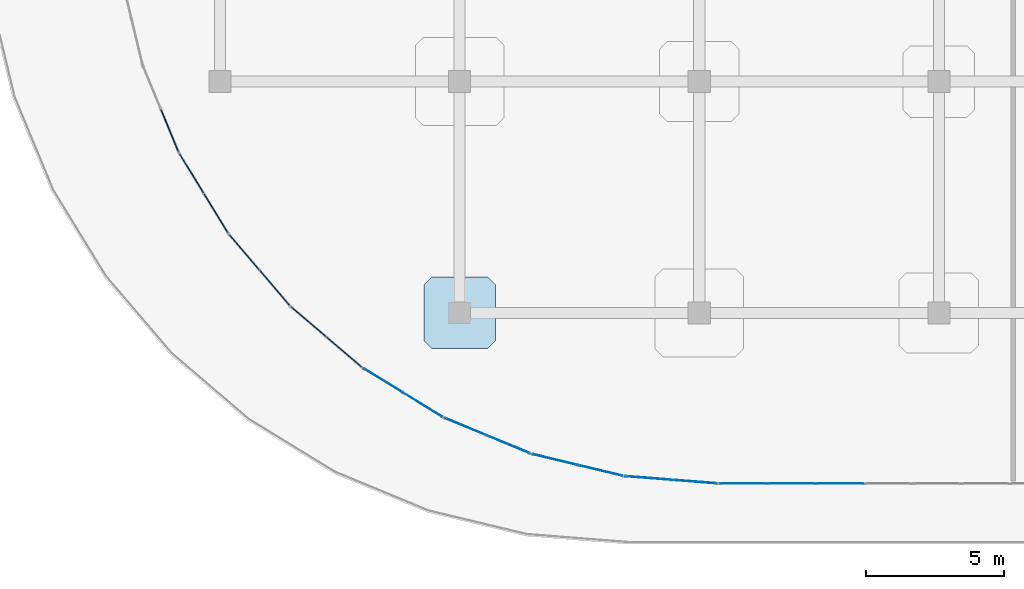
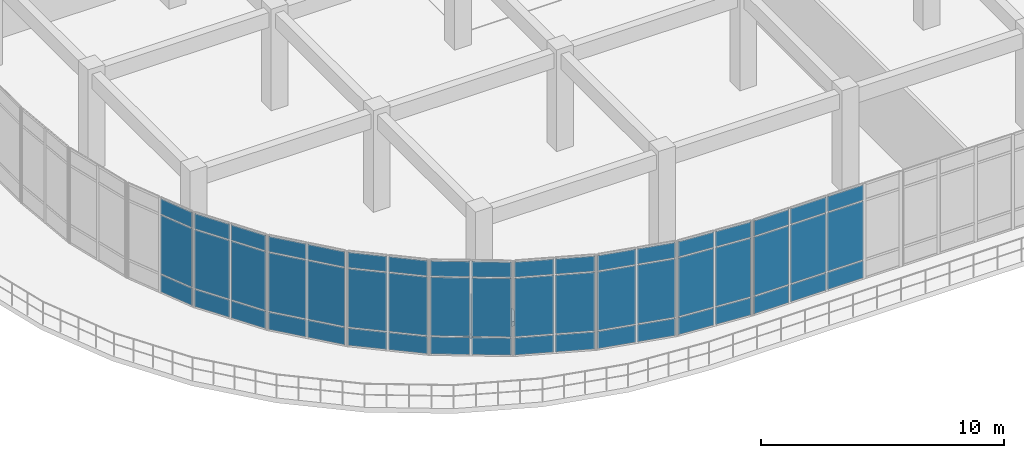
# One storey, part 90 of 124: 54 plates, 1 slab, 9 elements without a shape of their own.
"""IFC4 building model written with IfcOpenShell, lengths in metres."""

from ifc_helpers import new_model, si_unit, derived_unit, direction, frame, origin, origin_2d, place, context, subcontext, project, spatial, polyline, rectangle, outline, extrude, material, layer, layer_set, type_object, element, aggregate, save


model = new_model("IFC4")

# Units and contexts
model_context = context("Model", 3, precision=1e-05, world=origin(), true_north=direction((0.0, 1.0)))
body_context = subcontext(model_context, "Body", "Model", "MODEL_VIEW")
ifc_project = project(units=[si_unit("LENGTHUNIT", "METRE"), si_unit("AREAUNIT", "SQUARE_METRE"), si_unit("VOLUMEUNIT", "CUBIC_METRE"), si_unit("PLANEANGLEUNIT", "RADIAN"), si_unit("MASSUNIT", "GRAM", prefix="KILO"), derived_unit("THERMALTRANSMITTANCEUNIT", [(si_unit("MASSUNIT", "GRAM", prefix="KILO"), 1), (si_unit("TIMEUNIT", "SECOND"), -3), (si_unit("THERMODYNAMICTEMPERATUREUNIT", "KELVIN"), -1)])], contexts=[model_context])

# Site, building, storey
site_placement = place(None, origin())
site = spatial("IfcSite", under=ifc_project, at=site_placement, CompositionType="ELEMENT")
building_placement = place(site_placement, origin())
building = spatial("IfcBuilding", under=site, at=building_placement, Name="Qinzheling Arcade Emporium", CompositionType="ELEMENT")
storey_placement = place(building_placement, frame((0.0, 0.0, 16.5)))
storey = spatial("IfcBuildingStorey", under=building, at=storey_placement, Name="L04", CompositionType="ELEMENT", Elevation=16.5)

# Slab
ifc_material_1 = material(Name="Concrete C40", Category="concrete")
ifc_layer_1 = layer(ifc_material_1, 0.235107421875, Name="Concrete C40", Category="concrete")
ifc_layer_set_1 = layer_set([ifc_layer_1], Name="Concrete C40")
slab_type = type_object("IfcSlabType", Name="Column Head Drop Panel 2600x2600x235 C40", PredefinedType="USERDEFINED", material=ifc_layer_set_1)
slab_placement = place(storey_placement, frame((0.0, 0.0, -0.514892578125)))
element("IfcSlab", 1, at=slab_placement, inside=storey, type_object=slab_type, Name="Column Drop Panel DP-L04-3-B", ObjectType="DROP_PANEL", PredefinedType="USERDEFINED", context=body_context, shape_type="SweptSolid", body=[
    extrude(outline(polyline([(16.3798828125, 7.10009765625), (18.419921875, 7.10009765625), (18.699951171875, 7.3798828125), (18.699951171875, 9.419921875), (18.419921875, 9.699951171875), (16.3798828125, 9.699951171875), (16.10009765625, 9.419921875), (16.10009765625, 7.3798828125), (16.3798828125, 7.10009765625)])), origin(), (0.0, 0.0, 1.0), 0.23486328125),
])

# Curtain wall, plates
ifc_material_2 = material(Name="Anodised aluminium and solar-control double glazing", Category="aluminium")
ifc_layer_2 = layer(ifc_material_2, 0.159912109375, Name="Anodised aluminium and solar-control double glazing", Category="aluminium")
ifc_layer_set_2 = layer_set([ifc_layer_2], Name="Anodised aluminium and solar-control double glazing")
curtain_wall_type_1 = type_object("IfcCurtainWallType", Name="Arcade Portal Glazed Curtain Wall", PredefinedType="NOTDEFINED", material=ifc_layer_set_2)
curtain_wall_1_placement = place(storey_placement, origin())
curtain_wall_1 = element("IfcCurtainWall", 2, at=curtain_wall_1_placement, inside=storey, type_object=curtain_wall_type_1, Name="Curtain Wall CW-L04-224", PredefinedType="NOTDEFINED")
ifc_material_3 = material(Name="Laminated solar-control double glazing", Category="glass")
ifc_layer_3 = layer(ifc_material_3, 0.02490234375, Name="Laminated solar-control double glazing", Category="glass")
ifc_layer_set_3 = layer_set([ifc_layer_3], Name="Laminated solar-control double glazing")
plate_type_1 = type_object("IfcPlateType", Name="Low-E Double Glazed Curtain Panel 25mm", PredefinedType="CURTAIN_PANEL", material=ifc_layer_set_3)
plate_1_placement = place(storey_placement, frame((31.211181640625, 2.199951171875, 0.06005859375), z_axis=(0.0, 0.0, 1.0), x_axis=(-1.0, 0.0, 0.0)))
plate_1 = element("IfcPlate", 3, at=plate_1_placement, type_object=plate_type_1, Name="CW05 panel 2.1", PredefinedType="CURTAIN_PANEL", context=body_context, shape_type="SweptSolid", body=[
    extrude(rectangle(XDim=1.70458984375, YDim=0.02490234375, at=origin_2d()), origin(), (0.0, 0.0, 1.0), 0.860107421875),
])
plate_2_placement = place(storey_placement, frame((31.211181640625, 2.199951171875, 0.97998046875), z_axis=(0.0, 0.0, 1.0), x_axis=(-1.0, 0.0, 0.0)))
plate_2 = element("IfcPlate", 4, at=plate_2_placement, type_object=plate_type_1, Name="CW05 panel 2.2", PredefinedType="CURTAIN_PANEL", context=body_context, shape_type="SweptSolid", body=[
    extrude(rectangle(XDim=1.70458984375, YDim=0.02490234375, at=origin_2d()), origin(), (0.0, 0.0, 1.0), 2.929931640625),
])
plate_3_placement = place(storey_placement, frame((31.211181640625, 2.199951171875, 3.97021484375), z_axis=(0.0, 0.0, 1.0), x_axis=(-1.0, 0.0, 0.0)))
plate_3 = element("IfcPlate", 5, at=plate_3_placement, type_object=plate_type_1, Name="CW05 panel 2.3", PredefinedType="CURTAIN_PANEL", context=body_context, shape_type="SweptSolid", body=[
    extrude(rectangle(XDim=1.70458984375, YDim=0.02490234375, at=origin_2d()), origin(), (0.0, 0.0, 1.0), 0.760009765625),
])
plate_4_placement = place(storey_placement, frame((29.44677734375, 2.199951171875, 0.06005859375), z_axis=(0.0, 0.0, 1.0), x_axis=(-1.0, 0.0, 0.0)))
plate_4 = element("IfcPlate", 6, at=plate_4_placement, type_object=plate_type_1, Name="CW05 panel 3.1", PredefinedType="CURTAIN_PANEL", context=body_context, shape_type="SweptSolid", body=[
    extrude(rectangle(XDim=1.70458984375, YDim=0.02490234375, at=origin_2d()), origin(), (0.0, 0.0, 1.0), 0.860107421875),
])
plate_5_placement = place(storey_placement, frame((29.44677734375, 2.199951171875, 0.97998046875), z_axis=(0.0, 0.0, 1.0), x_axis=(-1.0, 0.0, 0.0)))
plate_5 = element("IfcPlate", 7, at=plate_5_placement, type_object=plate_type_1, Name="CW05 panel 3.2", PredefinedType="CURTAIN_PANEL", context=body_context, shape_type="SweptSolid", body=[
    extrude(rectangle(XDim=1.70458984375, YDim=0.02490234375, at=origin_2d()), origin(), (0.0, 0.0, 1.0), 2.929931640625),
])
plate_6_placement = place(storey_placement, frame((29.44677734375, 2.199951171875, 3.97021484375), z_axis=(0.0, 0.0, 1.0), x_axis=(-1.0, 0.0, 0.0)))
plate_6 = element("IfcPlate", 8, at=plate_6_placement, type_object=plate_type_1, Name="CW05 panel 3.3", PredefinedType="CURTAIN_PANEL", context=body_context, shape_type="SweptSolid", body=[
    extrude(rectangle(XDim=1.70458984375, YDim=0.02490234375, at=origin_2d()), origin(), (0.0, 0.0, 1.0), 0.760009765625),
])
plate_7_placement = place(storey_placement, frame((27.697265625, 2.199951171875, 0.06005859375), z_axis=(0.0, 0.0, 1.0), x_axis=(-1.0, 0.0, 0.0)))
plate_7 = element("IfcPlate", 9, at=plate_7_placement, type_object=plate_type_1, Name="CW05 panel 4.1", PredefinedType="CURTAIN_PANEL", context=body_context, shape_type="SweptSolid", body=[
    extrude(rectangle(XDim=1.674560546875, YDim=0.02490234375, at=origin_2d()), origin(), (0.0, 0.0, 1.0), 0.860107421875),
])
plate_8_placement = place(storey_placement, frame((27.697265625, 2.199951171875, 0.97998046875), z_axis=(0.0, 0.0, 1.0), x_axis=(-1.0, 0.0, 0.0)))
plate_8 = element("IfcPlate", 10, at=plate_8_placement, type_object=plate_type_1, Name="CW05 panel 4.2", PredefinedType="CURTAIN_PANEL", context=body_context, shape_type="SweptSolid", body=[
    extrude(rectangle(XDim=1.674560546875, YDim=0.02490234375, at=origin_2d()), origin(), (0.0, 0.0, 1.0), 2.929931640625),
])
plate_9_placement = place(storey_placement, frame((27.697265625, 2.199951171875, 3.97021484375), z_axis=(0.0, 0.0, 1.0), x_axis=(-1.0, 0.0, 0.0)))
plate_9 = element("IfcPlate", 11, at=plate_9_placement, type_object=plate_type_1, Name="CW05 panel 4.3", PredefinedType="CURTAIN_PANEL", context=body_context, shape_type="SweptSolid", body=[
    extrude(rectangle(XDim=1.674560546875, YDim=0.02490234375, at=origin_2d()), origin(), (0.0, 0.0, 1.0), 0.760009765625),
])
aggregate(curtain_wall_1, [plate_1, plate_2, plate_3, plate_4, plate_5, plate_6, plate_7, plate_8, plate_9])

ifc_layer_4 = layer(ifc_material_2, 0.159912109375, Name="Anodised aluminium and solar-control double glazing", Category="aluminium")
ifc_layer_set_4 = layer_set([ifc_layer_4], Name="Anodised aluminium and solar-control double glazing")
curtain_wall_type_2 = type_object("IfcCurtainWallType", Name="Curved Ribbon Sales Curtain Wall", PredefinedType="NOTDEFINED", material=ifc_layer_set_4)
curtain_wall_2_placement = place(storey_placement, origin())
curtain_wall_2 = element("IfcCurtainWall", 12, at=curtain_wall_2_placement, inside=storey, type_object=curtain_wall_type_2, Name="Curtain Wall CW-L04-225", PredefinedType="NOTDEFINED")
ifc_layer_5 = layer(ifc_material_3, 0.02587890625, Name="Laminated solar-control double glazing", Category="glass")
ifc_layer_set_5 = layer_set([ifc_layer_5], Name="Laminated solar-control double glazing")
plate_type_2 = type_object("IfcPlateType", Name="Low-E Double Glazed Curtain Panel 26mm", PredefinedType="CURTAIN_PANEL", material=ifc_layer_set_5)
plate_10_placement = place(storey_placement, frame((25.924560546875, 2.26904296875, 0.06005859375), z_axis=(0.0, 0.0, 1.0), x_axis=(-0.996914870157, 0.078490392152, 0.0)))
plate_10 = element("IfcPlate", 13, at=plate_10_placement, type_object=plate_type_2, Name="CW02 panel 1.1", PredefinedType="CURTAIN_PANEL", context=body_context, shape_type="SweptSolid", body=[
    extrude(rectangle(XDim=1.63623046875, YDim=0.02587890625, at=origin_2d()), origin(), (0.0, 0.0, 1.0), 0.860107421875),
])
plate_11_placement = place(storey_placement, frame((25.924560546875, 2.26904296875, 0.97998046875), z_axis=(0.0, 0.0, 1.0), x_axis=(-0.996914870157, 0.078490392152, 0.0)))
plate_11 = element("IfcPlate", 14, at=plate_11_placement, type_object=plate_type_2, Name="CW02 panel 1.2", PredefinedType="CURTAIN_PANEL", context=body_context, shape_type="SweptSolid", body=[
    extrude(rectangle(XDim=1.63623046875, YDim=0.02587890625, at=origin_2d()), origin(), (0.0, 0.0, 1.0), 2.929931640625),
])
plate_12_placement = place(storey_placement, frame((25.924560546875, 2.26904296875, 3.97021484375), z_axis=(0.0, 0.0, 1.0), x_axis=(-0.996914870157, 0.078490392152, 0.0)))
plate_12 = element("IfcPlate", 15, at=plate_12_placement, type_object=plate_type_2, Name="CW02 panel 1.3", PredefinedType="CURTAIN_PANEL", context=body_context, shape_type="SweptSolid", body=[
    extrude(rectangle(XDim=1.63623046875, YDim=0.02587890625, at=origin_2d()), origin(), (0.0, 0.0, 1.0), 0.760009765625),
])
plate_13_placement = place(storey_placement, frame((24.2333984375, 2.402099609375, 0.06005859375), z_axis=(0.0, 0.0, 1.0), x_axis=(-0.996914870157, 0.078490392152, 0.0)))
plate_13 = element("IfcPlate", 16, at=plate_13_placement, type_object=plate_type_2, Name="CW02 panel 2.1", PredefinedType="CURTAIN_PANEL", context=body_context, shape_type="SweptSolid", body=[
    extrude(rectangle(XDim=1.63623046875, YDim=0.02587890625, at=origin_2d()), origin(), (0.0, 0.0, 1.0), 0.860107421875),
])
plate_14_placement = place(storey_placement, frame((24.2333984375, 2.402099609375, 0.97998046875), z_axis=(0.0, 0.0, 1.0), x_axis=(-0.996914870157, 0.078490392152, 0.0)))
plate_14 = element("IfcPlate", 17, at=plate_14_placement, type_object=plate_type_2, Name="CW02 panel 2.2", PredefinedType="CURTAIN_PANEL", context=body_context, shape_type="SweptSolid", body=[
    extrude(rectangle(XDim=1.63623046875, YDim=0.02587890625, at=origin_2d()), origin(), (0.0, 0.0, 1.0), 2.929931640625),
])
plate_15_placement = place(storey_placement, frame((24.2333984375, 2.402099609375, 3.97021484375), z_axis=(0.0, 0.0, 1.0), x_axis=(-0.996914870157, 0.078490392152, 0.0)))
plate_15 = element("IfcPlate", 18, at=plate_15_placement, type_object=plate_type_2, Name="CW02 panel 2.3", PredefinedType="CURTAIN_PANEL", context=body_context, shape_type="SweptSolid", body=[
    extrude(rectangle(XDim=1.63623046875, YDim=0.02587890625, at=origin_2d()), origin(), (0.0, 0.0, 1.0), 0.760009765625),
])
aggregate(curtain_wall_2, [plate_10, plate_11, plate_12, plate_13, plate_14, plate_15])

curtain_wall_3_placement = place(storey_placement, origin())
curtain_wall_3 = element("IfcCurtainWall", 19, at=curtain_wall_3_placement, inside=storey, type_object=curtain_wall_type_2, Name="Curtain Wall CW-L04-226", PredefinedType="NOTDEFINED")
ifc_layer_6 = layer(ifc_material_3, 0.027099609375, Name="Laminated solar-control double glazing", Category="glass")
ifc_layer_set_6 = layer_set([ifc_layer_6], Name="Laminated solar-control double glazing")
plate_type_3 = type_object("IfcPlateType", Name="Low-E Double Glazed Curtain Panel 27mm", PredefinedType="CURTAIN_PANEL", material=ifc_layer_set_6)
plate_16_placement = place(storey_placement, frame((22.50439453125, 2.676025390625, 0.06005859375), z_axis=(0.0, 0.0, 1.0), x_axis=(-0.97235047031, 0.23352636444, 0.0)))
plate_16 = element("IfcPlate", 20, at=plate_16_placement, type_object=plate_type_3, Name="CW02 panel 1.1", PredefinedType="CURTAIN_PANEL", context=body_context, shape_type="SweptSolid", body=[
    extrude(rectangle(XDim=1.6357421875, YDim=0.027099609375, at=origin_2d()), origin(), (0.0, 0.0, 1.0), 0.860107421875),
])
plate_17_placement = place(storey_placement, frame((22.50439453125, 2.676025390625, 0.97998046875), z_axis=(0.0, 0.0, 1.0), x_axis=(-0.97235047031, 0.23352636444, 0.0)))
plate_17 = element("IfcPlate", 21, at=plate_17_placement, type_object=plate_type_3, Name="CW02 panel 1.2", PredefinedType="CURTAIN_PANEL", context=body_context, shape_type="SweptSolid", body=[
    extrude(rectangle(XDim=1.6357421875, YDim=0.027099609375, at=origin_2d()), origin(), (0.0, 0.0, 1.0), 2.929931640625),
])
plate_18_placement = place(storey_placement, frame((22.50439453125, 2.676025390625, 3.97021484375), z_axis=(0.0, 0.0, 1.0), x_axis=(-0.97235047031, 0.23352636444, 0.0)))
plate_18 = element("IfcPlate", 22, at=plate_18_placement, type_object=plate_type_3, Name="CW02 panel 1.3", PredefinedType="CURTAIN_PANEL", context=body_context, shape_type="SweptSolid", body=[
    extrude(rectangle(XDim=1.6357421875, YDim=0.027099609375, at=origin_2d()), origin(), (0.0, 0.0, 1.0), 0.760009765625),
])
plate_19_placement = place(storey_placement, frame((20.85546875, 3.072021484375, 0.06005859375), z_axis=(0.0, 0.0, 1.0), x_axis=(-0.97235047031, 0.23352636444, 0.0)))
plate_19 = element("IfcPlate", 23, at=plate_19_placement, type_object=plate_type_3, Name="CW02 panel 2.1", PredefinedType="CURTAIN_PANEL", context=body_context, shape_type="SweptSolid", body=[
    extrude(rectangle(XDim=1.6357421875, YDim=0.027099609375, at=origin_2d()), origin(), (0.0, 0.0, 1.0), 0.860107421875),
])
plate_20_placement = place(storey_placement, frame((20.85546875, 3.072021484375, 0.97998046875), z_axis=(0.0, 0.0, 1.0), x_axis=(-0.97235047031, 0.23352636444, 0.0)))
plate_20 = element("IfcPlate", 24, at=plate_20_placement, type_object=plate_type_3, Name="CW02 panel 2.2", PredefinedType="CURTAIN_PANEL", context=body_context, shape_type="SweptSolid", body=[
    extrude(rectangle(XDim=1.6357421875, YDim=0.027099609375, at=origin_2d()), origin(), (0.0, 0.0, 1.0), 2.929931640625),
])
plate_21_placement = place(storey_placement, frame((20.85546875, 3.072021484375, 3.97021484375), z_axis=(0.0, 0.0, 1.0), x_axis=(-0.97235047031, 0.23352636444, 0.0)))
plate_21 = element("IfcPlate", 25, at=plate_21_placement, type_object=plate_type_3, Name="CW02 panel 2.3", PredefinedType="CURTAIN_PANEL", context=body_context, shape_type="SweptSolid", body=[
    extrude(rectangle(XDim=1.6357421875, YDim=0.027099609375, at=origin_2d()), origin(), (0.0, 0.0, 1.0), 0.760009765625),
])
aggregate(curtain_wall_3, [plate_16, plate_17, plate_18, plate_19, plate_20, plate_21])

curtain_wall_4_placement = place(storey_placement, origin())
curtain_wall_4 = element("IfcCurtainWall", 26, at=curtain_wall_4_placement, inside=storey, type_object=curtain_wall_type_2, Name="Curtain Wall CW-L04-227", PredefinedType="NOTDEFINED")
ifc_layer_7 = layer(ifc_material_3, 0.028076171875, Name="Laminated solar-control double glazing", Category="glass")
ifc_layer_set_7 = layer_set([ifc_layer_7], Name="Laminated solar-control double glazing")
plate_type_4 = type_object("IfcPlateType", Name="Low-E Double Glazed Curtain Panel 28mm", PredefinedType="CURTAIN_PANEL", material=ifc_layer_set_7)
plate_22_placement = place(storey_placement, frame((19.190673828125, 3.613037109375, 0.06005859375), z_axis=(0.0, 0.0, 1.0), x_axis=(-0.923914473777, 0.382599065793, 0.0)))
plate_22 = element("IfcPlate", 27, at=plate_22_placement, type_object=plate_type_4, Name="CW02 panel 1.1", PredefinedType="CURTAIN_PANEL", context=body_context, shape_type="SweptSolid", body=[
    extrude(rectangle(XDim=1.63623046875, YDim=0.028076171875, at=origin_2d()), origin(), (0.0, 0.0, 1.0), 0.860107421875),
])
plate_23_placement = place(storey_placement, frame((19.190673828125, 3.613037109375, 0.97998046875), z_axis=(0.0, 0.0, 1.0), x_axis=(-0.923914473777, 0.382599065793, 0.0)))
plate_23 = element("IfcPlate", 28, at=plate_23_placement, type_object=plate_type_4, Name="CW02 panel 1.2", PredefinedType="CURTAIN_PANEL", context=body_context, shape_type="SweptSolid", body=[
    extrude(rectangle(XDim=1.63623046875, YDim=0.028076171875, at=origin_2d()), origin(), (0.0, 0.0, 1.0), 2.929931640625),
])
plate_24_placement = place(storey_placement, frame((19.190673828125, 3.613037109375, 3.97021484375), z_axis=(0.0, 0.0, 1.0), x_axis=(-0.923914473777, 0.382599065793, 0.0)))
plate_24 = element("IfcPlate", 29, at=plate_24_placement, type_object=plate_type_4, Name="CW02 panel 1.3", PredefinedType="CURTAIN_PANEL", context=body_context, shape_type="SweptSolid", body=[
    extrude(rectangle(XDim=1.63623046875, YDim=0.028076171875, at=origin_2d()), origin(), (0.0, 0.0, 1.0), 0.760009765625),
])
plate_25_placement = place(storey_placement, frame((17.623291015625, 4.261962890625, 0.06005859375), z_axis=(0.0, 0.0, 1.0), x_axis=(-0.923914473777, 0.382599065793, 0.0)))
plate_25 = element("IfcPlate", 30, at=plate_25_placement, type_object=plate_type_4, Name="CW02 panel 2.1", PredefinedType="CURTAIN_PANEL", context=body_context, shape_type="SweptSolid", body=[
    extrude(rectangle(XDim=1.63623046875, YDim=0.028076171875, at=origin_2d()), origin(), (0.0, 0.0, 1.0), 0.860107421875),
])
plate_26_placement = place(storey_placement, frame((17.623291015625, 4.261962890625, 0.97998046875), z_axis=(0.0, 0.0, 1.0), x_axis=(-0.923914473777, 0.382599065793, 0.0)))
plate_26 = element("IfcPlate", 31, at=plate_26_placement, type_object=plate_type_4, Name="CW02 panel 2.2", PredefinedType="CURTAIN_PANEL", context=body_context, shape_type="SweptSolid", body=[
    extrude(rectangle(XDim=1.63623046875, YDim=0.028076171875, at=origin_2d()), origin(), (0.0, 0.0, 1.0), 2.929931640625),
])
plate_27_placement = place(storey_placement, frame((17.623291015625, 4.261962890625, 3.97021484375), z_axis=(0.0, 0.0, 1.0), x_axis=(-0.923914473777, 0.382599065793, 0.0)))
plate_27 = element("IfcPlate", 32, at=plate_27_placement, type_object=plate_type_4, Name="CW02 panel 2.3", PredefinedType="CURTAIN_PANEL", context=body_context, shape_type="SweptSolid", body=[
    extrude(rectangle(XDim=1.63623046875, YDim=0.028076171875, at=origin_2d()), origin(), (0.0, 0.0, 1.0), 0.760009765625),
])
aggregate(curtain_wall_4, [plate_22, plate_23, plate_24, plate_25, plate_26, plate_27])

curtain_wall_5_placement = place(storey_placement, origin())
curtain_wall_5 = element("IfcCurtainWall", 33, at=curtain_wall_5_placement, inside=storey, type_object=curtain_wall_type_2, Name="Curtain Wall CW-L04-228", PredefinedType="NOTDEFINED")
ifc_layer_8 = layer(ifc_material_3, 0.029052734375, Name="Laminated solar-control double glazing", Category="glass")
ifc_layer_set_8 = layer_set([ifc_layer_8], Name="Laminated solar-control double glazing")
plate_type_5 = type_object("IfcPlateType", Name="Low-E Double Glazed Curtain Panel 29mm", PredefinedType="CURTAIN_PANEL", material=ifc_layer_set_8)
plate_28_placement = place(storey_placement, frame((16.0634765625, 5.056884765625, 0.06005859375), z_axis=(0.0, 0.0, 1.0), x_axis=(-0.852572106283, 0.522609609161, 0.0)))
plate_28 = element("IfcPlate", 34, at=plate_28_placement, type_object=plate_type_5, Name="CW02 panel 1.1", PredefinedType="CURTAIN_PANEL", context=body_context, shape_type="SweptSolid", body=[
    extrude(rectangle(XDim=1.635986328125, YDim=0.029052734375, at=origin_2d()), origin(), (0.0, 0.0, 1.0), 0.860107421875),
])
plate_29_placement = place(storey_placement, frame((16.0634765625, 5.056884765625, 0.97998046875), z_axis=(0.0, 0.0, 1.0), x_axis=(-0.852572106283, 0.522609609161, 0.0)))
plate_29 = element("IfcPlate", 35, at=plate_29_placement, type_object=plate_type_5, Name="CW02 panel 1.2", PredefinedType="CURTAIN_PANEL", context=body_context, shape_type="SweptSolid", body=[
    extrude(rectangle(XDim=1.635986328125, YDim=0.029052734375, at=origin_2d()), origin(), (0.0, 0.0, 1.0), 2.929931640625),
])
plate_30_placement = place(storey_placement, frame((16.0634765625, 5.056884765625, 3.97021484375), z_axis=(0.0, 0.0, 1.0), x_axis=(-0.852572106283, 0.522609609161, 0.0)))
plate_30 = element("IfcPlate", 36, at=plate_30_placement, type_object=plate_type_5, Name="CW02 panel 1.3", PredefinedType="CURTAIN_PANEL", context=body_context, shape_type="SweptSolid", body=[
    extrude(rectangle(XDim=1.635986328125, YDim=0.029052734375, at=origin_2d()), origin(), (0.0, 0.0, 1.0), 0.760009765625),
])
plate_31_placement = place(storey_placement, frame((14.617431640625, 5.943115234375, 0.06005859375), z_axis=(0.0, 0.0, 1.0), x_axis=(-0.852572106283, 0.522609609161, 0.0)))
plate_31 = element("IfcPlate", 37, at=plate_31_placement, type_object=plate_type_5, Name="CW02 panel 2.1", PredefinedType="CURTAIN_PANEL", context=body_context, shape_type="SweptSolid", body=[
    extrude(rectangle(XDim=1.635986328125, YDim=0.029052734375, at=origin_2d()), origin(), (0.0, 0.0, 1.0), 0.860107421875),
])
plate_32_placement = place(storey_placement, frame((14.617431640625, 5.943115234375, 0.97998046875), z_axis=(0.0, 0.0, 1.0), x_axis=(-0.852572106283, 0.522609609161, 0.0)))
plate_32 = element("IfcPlate", 38, at=plate_32_placement, type_object=plate_type_5, Name="CW02 panel 2.2", PredefinedType="CURTAIN_PANEL", context=body_context, shape_type="SweptSolid", body=[
    extrude(rectangle(XDim=1.635986328125, YDim=0.029052734375, at=origin_2d()), origin(), (0.0, 0.0, 1.0), 2.929931640625),
])
plate_33_placement = place(storey_placement, frame((14.617431640625, 5.943115234375, 3.97021484375), z_axis=(0.0, 0.0, 1.0), x_axis=(-0.852572106283, 0.522609609161, 0.0)))
plate_33 = element("IfcPlate", 39, at=plate_33_placement, type_object=plate_type_5, Name="CW02 panel 2.3", PredefinedType="CURTAIN_PANEL", context=body_context, shape_type="SweptSolid", body=[
    extrude(rectangle(XDim=1.635986328125, YDim=0.029052734375, at=origin_2d()), origin(), (0.0, 0.0, 1.0), 0.760009765625),
])
aggregate(curtain_wall_5, [plate_28, plate_29, plate_30, plate_31, plate_32, plate_33])

curtain_wall_6_placement = place(storey_placement, origin())
curtain_wall_6 = element("IfcCurtainWall", 40, at=curtain_wall_6_placement, inside=storey, type_object=curtain_wall_type_2, Name="Curtain Wall CW-L04-229", PredefinedType="NOTDEFINED")
ifc_layer_9 = layer(ifc_material_3, 0.030029296875, Name="Laminated solar-control double glazing", Category="glass")
ifc_layer_set_9 = layer_set([ifc_layer_9], Name="Laminated solar-control double glazing")
plate_type_6 = type_object("IfcPlateType", Name="Low-E Double Glazed Curtain Panel 30mm", PredefinedType="CURTAIN_PANEL", material=ifc_layer_set_9)
plate_34_placement = place(storey_placement, frame((13.201416015625, 6.97216796875, 0.06005859375), z_axis=(0.0, 0.0, 1.0), x_axis=(-0.760400500774, 0.649454446765, 0.0)))
plate_34 = element("IfcPlate", 41, at=plate_34_placement, type_object=plate_type_6, Name="CW02 panel 1.1", PredefinedType="CURTAIN_PANEL", context=body_context, shape_type="SweptSolid", body=[
    extrude(rectangle(XDim=1.635986328125, YDim=0.030029296875, at=origin_2d()), origin(), (0.0, 0.0, 1.0), 0.860107421875),
])
plate_35_placement = place(storey_placement, frame((13.201416015625, 6.97216796875, 0.97998046875), z_axis=(0.0, 0.0, 1.0), x_axis=(-0.760400500774, 0.649454446765, 0.0)))
plate_35 = element("IfcPlate", 42, at=plate_35_placement, type_object=plate_type_6, Name="CW02 panel 1.2", PredefinedType="CURTAIN_PANEL", context=body_context, shape_type="SweptSolid", body=[
    extrude(rectangle(XDim=1.635986328125, YDim=0.030029296875, at=origin_2d()), origin(), (0.0, 0.0, 1.0), 2.929931640625),
])
plate_36_placement = place(storey_placement, frame((13.201416015625, 6.97216796875, 3.97021484375), z_axis=(0.0, 0.0, 1.0), x_axis=(-0.760400500774, 0.649454446765, 0.0)))
plate_36 = element("IfcPlate", 43, at=plate_36_placement, type_object=plate_type_6, Name="CW02 panel 1.3", PredefinedType="CURTAIN_PANEL", context=body_context, shape_type="SweptSolid", body=[
    extrude(rectangle(XDim=1.635986328125, YDim=0.030029296875, at=origin_2d()), origin(), (0.0, 0.0, 1.0), 0.760009765625),
])
plate_37_placement = place(storey_placement, frame((11.91162109375, 8.07373046875, 0.06005859375), z_axis=(0.0, 0.0, 1.0), x_axis=(-0.760400500774, 0.649454446765, 0.0)))
plate_37 = element("IfcPlate", 44, at=plate_37_placement, type_object=plate_type_6, Name="CW02 panel 2.1", PredefinedType="CURTAIN_PANEL", context=body_context, shape_type="SweptSolid", body=[
    extrude(rectangle(XDim=1.635986328125, YDim=0.030029296875, at=origin_2d()), origin(), (0.0, 0.0, 1.0), 0.860107421875),
])
plate_38_placement = place(storey_placement, frame((11.91162109375, 8.07373046875, 0.97998046875), z_axis=(0.0, 0.0, 1.0), x_axis=(-0.760400500774, 0.649454446765, 0.0)))
plate_38 = element("IfcPlate", 45, at=plate_38_placement, type_object=plate_type_6, Name="CW02 panel 2.2", PredefinedType="CURTAIN_PANEL", context=body_context, shape_type="SweptSolid", body=[
    extrude(rectangle(XDim=1.635986328125, YDim=0.030029296875, at=origin_2d()), origin(), (0.0, 0.0, 1.0), 2.929931640625),
])
plate_39_placement = place(storey_placement, frame((11.91162109375, 8.07373046875, 3.97021484375), z_axis=(0.0, 0.0, 1.0), x_axis=(-0.760400500774, 0.649454446765, 0.0)))
plate_39 = element("IfcPlate", 46, at=plate_39_placement, type_object=plate_type_6, Name="CW02 panel 2.3", PredefinedType="CURTAIN_PANEL", context=body_context, shape_type="SweptSolid", body=[
    extrude(rectangle(XDim=1.635986328125, YDim=0.030029296875, at=origin_2d()), origin(), (0.0, 0.0, 1.0), 0.760009765625),
])
aggregate(curtain_wall_6, [plate_34, plate_35, plate_36, plate_37, plate_38, plate_39])

curtain_wall_7_placement = place(storey_placement, origin())
curtain_wall_7 = element("IfcCurtainWall", 47, at=curtain_wall_7_placement, inside=storey, type_object=curtain_wall_type_2, Name="Curtain Wall CW-L04-230", PredefinedType="NOTDEFINED")
ifc_layer_10 = layer(ifc_material_3, 0.031005859375, Name="Laminated solar-control double glazing", Category="glass")
ifc_layer_set_10 = layer_set([ifc_layer_10], Name="Laminated solar-control double glazing")
plate_type_7 = type_object("IfcPlateType", Name="Low-E Double Glazed Curtain Panel 31mm", PredefinedType="CURTAIN_PANEL", material=ifc_layer_set_10)
plate_40_placement = place(storey_placement, frame((10.673828125, 9.311767578125, 0.06005859375), z_axis=(0.0, 0.0, 1.0), x_axis=(-0.649454446765, 0.760400500774, 0.0)))
plate_40 = element("IfcPlate", 48, at=plate_40_placement, type_object=plate_type_7, Name="CW02 panel 1.1", PredefinedType="CURTAIN_PANEL", context=body_context, shape_type="SweptSolid", body=[
    extrude(rectangle(XDim=1.635986328125, YDim=0.031005859375, at=origin_2d()), origin(), (0.0, 0.0, 1.0), 0.860107421875),
])
plate_41_placement = place(storey_placement, frame((10.673828125, 9.311767578125, 0.97998046875), z_axis=(0.0, 0.0, 1.0), x_axis=(-0.649454446765, 0.760400500774, 0.0)))
plate_41 = element("IfcPlate", 49, at=plate_41_placement, type_object=plate_type_7, Name="CW02 panel 1.2", PredefinedType="CURTAIN_PANEL", context=body_context, shape_type="SweptSolid", body=[
    extrude(rectangle(XDim=1.635986328125, YDim=0.031005859375, at=origin_2d()), origin(), (0.0, 0.0, 1.0), 2.929931640625),
])
plate_42_placement = place(storey_placement, frame((10.673828125, 9.311767578125, 3.97021484375), z_axis=(0.0, 0.0, 1.0), x_axis=(-0.649454446765, 0.760400500774, 0.0)))
plate_42 = element("IfcPlate", 50, at=plate_42_placement, type_object=plate_type_7, Name="CW02 panel 1.3", PredefinedType="CURTAIN_PANEL", context=body_context, shape_type="SweptSolid", body=[
    extrude(rectangle(XDim=1.635986328125, YDim=0.031005859375, at=origin_2d()), origin(), (0.0, 0.0, 1.0), 0.760009765625),
])
plate_43_placement = place(storey_placement, frame((9.572265625, 10.601318359375, 0.06005859375), z_axis=(0.0, 0.0, 1.0), x_axis=(-0.649454446765, 0.760400500774, 0.0)))
plate_43 = element("IfcPlate", 51, at=plate_43_placement, type_object=plate_type_7, Name="CW02 panel 2.1", PredefinedType="CURTAIN_PANEL", context=body_context, shape_type="SweptSolid", body=[
    extrude(rectangle(XDim=1.635986328125, YDim=0.031005859375, at=origin_2d()), origin(), (0.0, 0.0, 1.0), 0.860107421875),
])
plate_44_placement = place(storey_placement, frame((9.572265625, 10.601318359375, 0.97998046875), z_axis=(0.0, 0.0, 1.0), x_axis=(-0.649454446765, 0.760400500774, 0.0)))
plate_44 = element("IfcPlate", 52, at=plate_44_placement, type_object=plate_type_7, Name="CW02 panel 2.2", PredefinedType="CURTAIN_PANEL", context=body_context, shape_type="SweptSolid", body=[
    extrude(rectangle(XDim=1.635986328125, YDim=0.031005859375, at=origin_2d()), origin(), (0.0, 0.0, 1.0), 2.929931640625),
])
plate_45_placement = place(storey_placement, frame((9.572265625, 10.601318359375, 3.97021484375), z_axis=(0.0, 0.0, 1.0), x_axis=(-0.649454446765, 0.760400500774, 0.0)))
plate_45 = element("IfcPlate", 53, at=plate_45_placement, type_object=plate_type_7, Name="CW02 panel 2.3", PredefinedType="CURTAIN_PANEL", context=body_context, shape_type="SweptSolid", body=[
    extrude(rectangle(XDim=1.635986328125, YDim=0.031005859375, at=origin_2d()), origin(), (0.0, 0.0, 1.0), 0.760009765625),
])
aggregate(curtain_wall_7, [plate_40, plate_41, plate_42, plate_43, plate_44, plate_45])

curtain_wall_8_placement = place(storey_placement, origin())
curtain_wall_8 = element("IfcCurtainWall", 54, at=curtain_wall_8_placement, inside=storey, type_object=curtain_wall_type_2, Name="Curtain Wall CW-L04-231", PredefinedType="NOTDEFINED")
ifc_layer_11 = layer(ifc_material_3, 0.031982421875, Name="Laminated solar-control double glazing", Category="glass")
ifc_layer_set_11 = layer_set([ifc_layer_11], Name="Laminated solar-control double glazing")
plate_type_8 = type_object("IfcPlateType", Name="Low-E Double Glazed Curtain Panel 32mm", PredefinedType="CURTAIN_PANEL", material=ifc_layer_set_11)
plate_46_placement = place(storey_placement, frame((8.543212890625, 12.017578125, 0.06005859375), z_axis=(0.0, 0.0, 1.0), x_axis=(-0.522609609161, 0.852572106283, 0.0)))
plate_46 = element("IfcPlate", 55, at=plate_46_placement, type_object=plate_type_8, Name="CW02 panel 1.1", PredefinedType="CURTAIN_PANEL", context=body_context, shape_type="SweptSolid", body=[
    extrude(rectangle(XDim=1.635986328125, YDim=0.031982421875, at=origin_2d()), origin(), (0.0, 0.0, 1.0), 0.860107421875),
])
plate_47_placement = place(storey_placement, frame((8.543212890625, 12.017578125, 0.97998046875), z_axis=(0.0, 0.0, 1.0), x_axis=(-0.522609609161, 0.852572106283, 0.0)))
plate_47 = element("IfcPlate", 56, at=plate_47_placement, type_object=plate_type_8, Name="CW02 panel 1.2", PredefinedType="CURTAIN_PANEL", context=body_context, shape_type="SweptSolid", body=[
    extrude(rectangle(XDim=1.635986328125, YDim=0.031982421875, at=origin_2d()), origin(), (0.0, 0.0, 1.0), 2.929931640625),
])
plate_48_placement = place(storey_placement, frame((8.543212890625, 12.017578125, 3.97021484375), z_axis=(0.0, 0.0, 1.0), x_axis=(-0.522609609161, 0.852572106283, 0.0)))
plate_48 = element("IfcPlate", 57, at=plate_48_placement, type_object=plate_type_8, Name="CW02 panel 1.3", PredefinedType="CURTAIN_PANEL", context=body_context, shape_type="SweptSolid", body=[
    extrude(rectangle(XDim=1.635986328125, YDim=0.031982421875, at=origin_2d()), origin(), (0.0, 0.0, 1.0), 0.760009765625),
])
plate_49_placement = place(storey_placement, frame((7.65673828125, 13.46337890625, 0.06005859375), z_axis=(0.0, 0.0, 1.0), x_axis=(-0.522609609161, 0.852572106283, 0.0)))
plate_49 = element("IfcPlate", 58, at=plate_49_placement, type_object=plate_type_8, Name="CW02 panel 2.1", PredefinedType="CURTAIN_PANEL", context=body_context, shape_type="SweptSolid", body=[
    extrude(rectangle(XDim=1.635986328125, YDim=0.031982421875, at=origin_2d()), origin(), (0.0, 0.0, 1.0), 0.860107421875),
])
plate_50_placement = place(storey_placement, frame((7.65673828125, 13.46337890625, 0.97998046875), z_axis=(0.0, 0.0, 1.0), x_axis=(-0.522609609161, 0.852572106283, 0.0)))
plate_50 = element("IfcPlate", 59, at=plate_50_placement, type_object=plate_type_8, Name="CW02 panel 2.2", PredefinedType="CURTAIN_PANEL", context=body_context, shape_type="SweptSolid", body=[
    extrude(rectangle(XDim=1.635986328125, YDim=0.031982421875, at=origin_2d()), origin(), (0.0, 0.0, 1.0), 2.929931640625),
])
plate_51_placement = place(storey_placement, frame((7.65673828125, 13.46337890625, 3.97021484375), z_axis=(0.0, 0.0, 1.0), x_axis=(-0.522609609161, 0.852572106283, 0.0)))
plate_51 = element("IfcPlate", 60, at=plate_51_placement, type_object=plate_type_8, Name="CW02 panel 2.3", PredefinedType="CURTAIN_PANEL", context=body_context, shape_type="SweptSolid", body=[
    extrude(rectangle(XDim=1.635986328125, YDim=0.031982421875, at=origin_2d()), origin(), (0.0, 0.0, 1.0), 0.760009765625),
])
aggregate(curtain_wall_8, [plate_46, plate_47, plate_48, plate_49, plate_50, plate_51])

curtain_wall_9_placement = place(storey_placement, origin())
curtain_wall_9 = element("IfcCurtainWall", 61, at=curtain_wall_9_placement, inside=storey, type_object=curtain_wall_type_2, Name="Curtain Wall CW-L04-232", PredefinedType="NOTDEFINED")
ifc_layer_12 = layer(ifc_material_3, 0.033935546875, Name="Laminated solar-control double glazing", Category="glass")
ifc_layer_set_12 = layer_set([ifc_layer_12], Name="Laminated solar-control double glazing")
plate_type_9 = type_object("IfcPlateType", Name="Low-E Double Glazed Curtain Panel 34mm", PredefinedType="CURTAIN_PANEL", material=ifc_layer_set_12)
plate_52_placement = place(storey_placement, frame((6.862060546875, 15.0234375, 0.06005859375), z_axis=(0.0, 0.0, 1.0), x_axis=(-0.382599065793, 0.923914473777, 0.0)))
plate_52 = element("IfcPlate", 62, at=plate_52_placement, type_object=plate_type_9, Name="CW02 panel 1.1", PredefinedType="CURTAIN_PANEL", context=body_context, shape_type="SweptSolid", body=[
    extrude(rectangle(XDim=1.63623046875, YDim=0.033935546875, at=origin_2d()), origin(), (0.0, 0.0, 1.0), 0.860107421875),
])
plate_53_placement = place(storey_placement, frame((6.862060546875, 15.0234375, 0.97998046875), z_axis=(0.0, 0.0, 1.0), x_axis=(-0.382599065793, 0.923914473777, 0.0)))
plate_53 = element("IfcPlate", 63, at=plate_53_placement, type_object=plate_type_9, Name="CW02 panel 1.2", PredefinedType="CURTAIN_PANEL", context=body_context, shape_type="SweptSolid", body=[
    extrude(rectangle(XDim=1.63623046875, YDim=0.033935546875, at=origin_2d()), origin(), (0.0, 0.0, 1.0), 2.929931640625),
])
plate_54_placement = place(storey_placement, frame((6.862060546875, 15.0234375, 3.97021484375), z_axis=(0.0, 0.0, 1.0), x_axis=(-0.382599065793, 0.923914473777, 0.0)))
plate_54 = element("IfcPlate", 64, at=plate_54_placement, type_object=plate_type_9, Name="CW02 panel 1.3", PredefinedType="CURTAIN_PANEL", context=body_context, shape_type="SweptSolid", body=[
    extrude(rectangle(XDim=1.63623046875, YDim=0.033935546875, at=origin_2d()), origin(), (0.0, 0.0, 1.0), 0.760009765625),
])
aggregate(curtain_wall_9, [plate_52, plate_53, plate_54])

save(model, "model.ifc")
